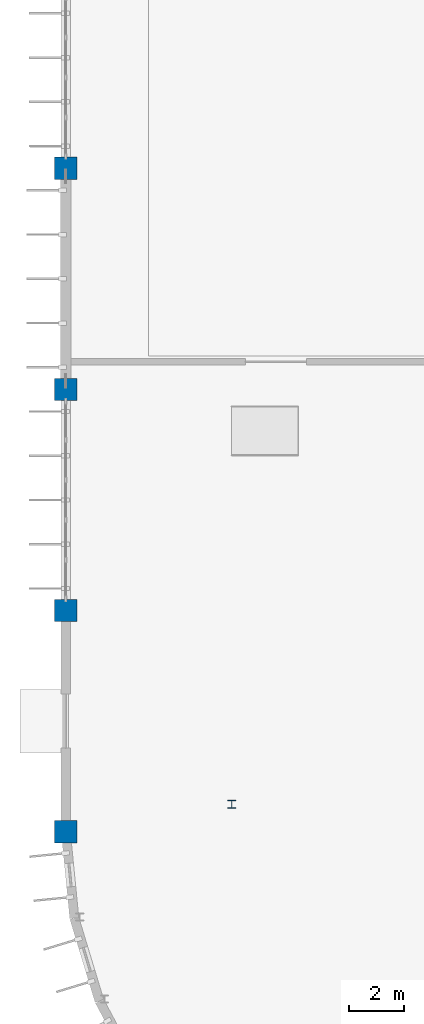
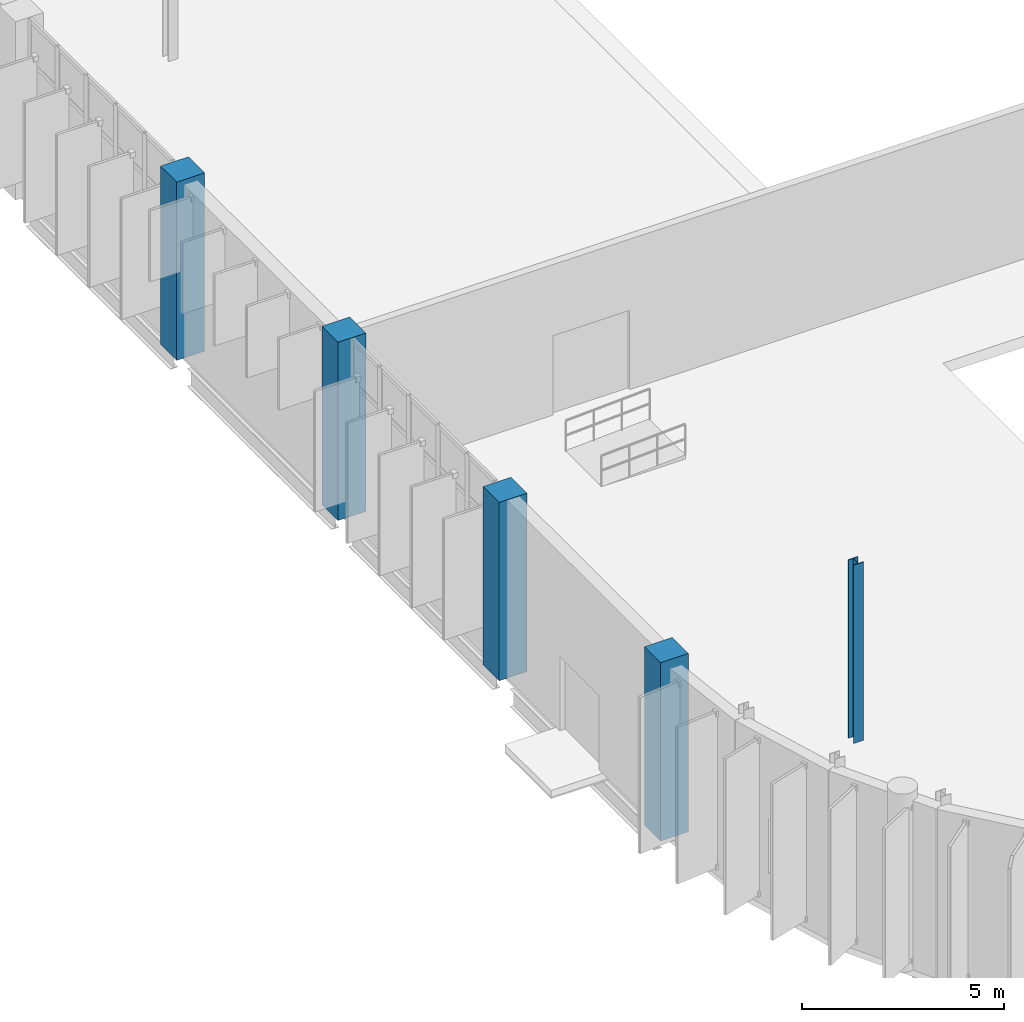
# One storey, part 3 of 103: 5 columns.
"""IFC4 building model written with IfcOpenShell, lengths in metres."""

from ifc_helpers import new_model, si_unit, direction, frame, origin, origin_2d, place, context, subcontext, project, spatial, rectangle, i_section, extrude, material, material_profile, profile_set, type_object, element, save


model = new_model("IFC4")

# Units and contexts
model_context = context("Model", 3, precision=1e-05, world=origin(), true_north=direction((0.0, 1.0)))
body_context = subcontext(model_context, "Body", "Model", "MODEL_VIEW")
ifc_project = project(units=[si_unit("LENGTHUNIT", "METRE"), si_unit("AREAUNIT", "SQUARE_METRE"), si_unit("VOLUMEUNIT", "CUBIC_METRE"), si_unit("PLANEANGLEUNIT", "RADIAN"), si_unit("MASSUNIT", "GRAM", prefix="KILO")], contexts=[model_context])

# Site, building, storey
site_placement = place(None, origin())
site = spatial("IfcSite", under=ifc_project, at=site_placement, CompositionType="ELEMENT")
building_placement = place(site_placement, origin())
building = spatial("IfcBuilding", under=site, at=building_placement, Name="Drelvana Railside Aquatics Centre", CompositionType="ELEMENT")
storey_placement = place(building_placement, origin())
storey = spatial("IfcBuildingStorey", under=building, at=storey_placement, Name="L00", CompositionType="ELEMENT", Elevation=0.0)

# Columns
ifc_material_1 = material(Name="Concrete C40/50", Category="concrete")
ifc_material_profile_1 = material_profile(ifc_material_1, rectangle(XDim=0.800048828125, YDim=0.800048828125, at=origin_2d()), Name="RC 800x800")
ifc_profile_set_1 = profile_set([ifc_material_profile_1], Name="Concrete C40/50")
column_type_1 = type_object("IfcColumnType", Name="STR-COL-RC-800x800", PredefinedType="COLUMN", material=ifc_profile_set_1)
for number, where, z_axis, x_axis, name in (
    (1, (0.0, 32.0, 0.0), (0.0, 0.0, 1.0), (1.0, 0.0, 0.0), "Column C-08 (L00)"),
    (2, (0.0, 40.0, 0.0), (0.0, 0.0, 1.0), (1.0, 0.0, 0.0), "Column C-08 (L00)"),
    (3, (0.0, 48.0, 0.0), (0.0, 0.0, 1.0), (1.0, 0.0, 0.0), "Column C-08 (L00)"),
    (4, (0.0, 56.0, 0.0), (0.0, 0.0, 1.0), (1.0, 0.0, 0.0), "Column C-08 (L00)"),
):
    element("IfcColumn", number, at=place(storey_placement, frame(where, z_axis=z_axis, x_axis=x_axis)), inside=storey, type_object=column_type_1, Name=name, PredefinedType="COLUMN", context=body_context, shape_type="SweptSolid", body=[
        extrude(rectangle(XDim=0.800048828125, YDim=0.800048828125, at=origin_2d()), origin(), (0.0, 0.0, 1.0), 5.39990234375),
    ])
ifc_material_2 = material(Name="Structural steel S355", Category="steel")
ifc_material_profile_2 = material_profile(ifc_material_2, i_section(OverallWidth=0.280029296875, OverallDepth=0.280029296875, WebThickness=0.010498046875, FlangeThickness=0.01806640625, at=origin_2d()), Name="HEB 280")
ifc_profile_set_2 = profile_set([ifc_material_profile_2], Name="Structural steel S355")
column_type_2 = type_object("IfcColumnType", Name="STR-SCOL-HEB-280", PredefinedType="COLUMN", material=ifc_profile_set_2)
column_placement = place(storey_placement, frame((6.0, 33.0, 0.0), z_axis=(0.0, 0.0, 1.0), x_axis=(1.0, 0.0, 0.0)))
element("IfcColumn", 5, at=column_placement, inside=storey, type_object=column_type_2, Name="Gridshell west end rafter column Y33 (L00)", PredefinedType="COLUMN", context=body_context, shape_type="SweptSolid", body=[
    extrude(i_section(OverallWidth=0.280029296875, OverallDepth=0.280029296875, WebThickness=0.010498046875, FlangeThickness=0.01806640625, at=origin_2d()), origin(), (0.0, 0.0, 1.0), 5.39990234375),
])

save(model, "model.ifc")
